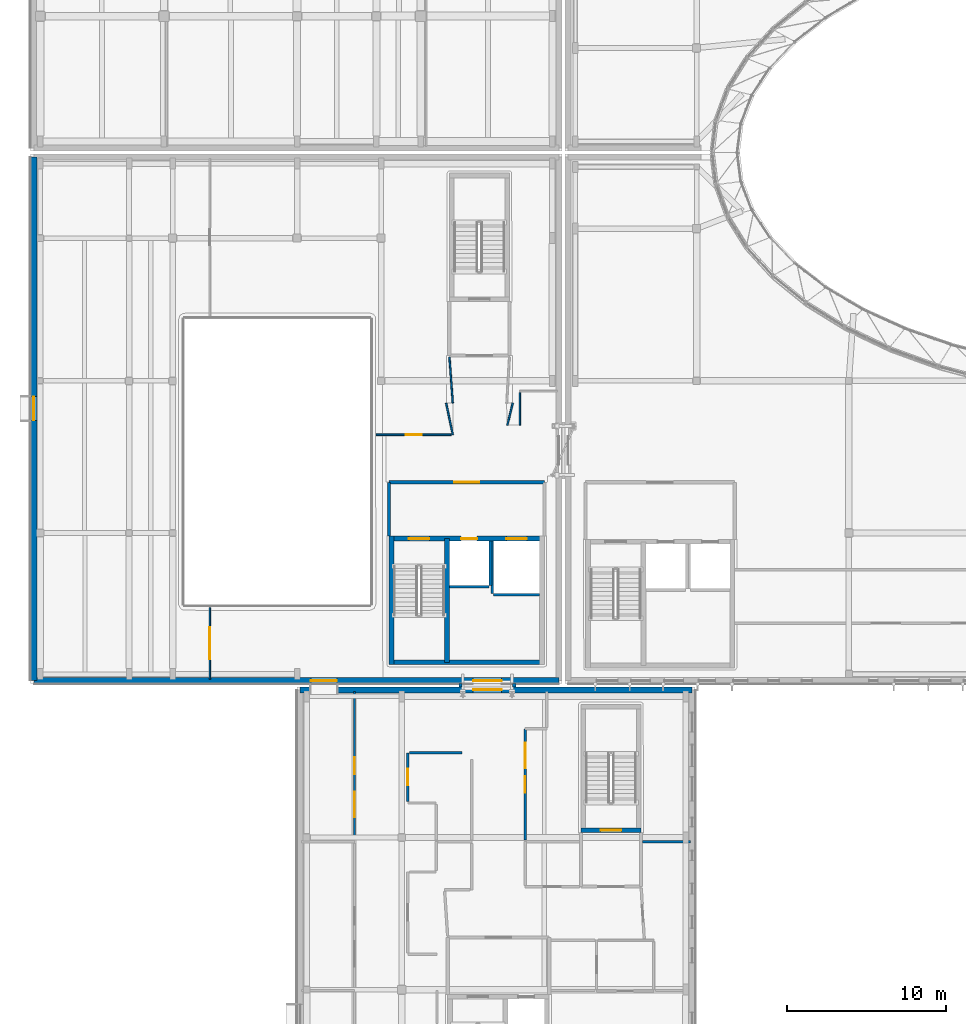
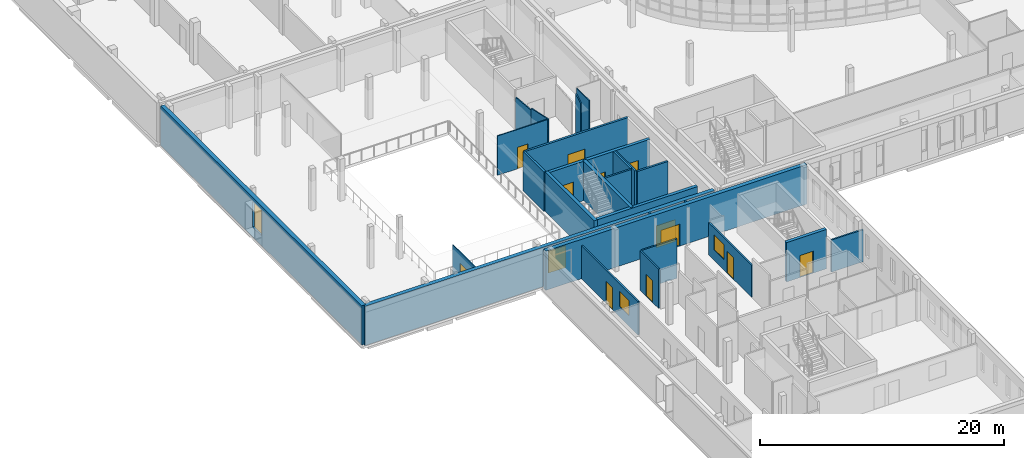
# One storey, part 43 of 84: 27 walls, 12 doors, 4 windows, 16 openings.
"""IFC4 building model written with IfcOpenShell, lengths in metres."""

from ifc_helpers import new_model, si_unit, direction, frame, frame_2d, origin, place, context, subcontext, project, spatial, rectangle, extrude, material, layer, layer_set, type_object, element, fill, save


model = new_model("IFC4")

# Units and contexts
model_context = context("Model", 3, precision=1e-05, world=origin(), true_north=direction((0.0, 1.0)))
body_context = subcontext(model_context, "Body", "Model", "MODEL_VIEW")
ifc_project = project(units=[si_unit("LENGTHUNIT", "METRE"), si_unit("AREAUNIT", "SQUARE_METRE"), si_unit("VOLUMEUNIT", "CUBIC_METRE"), si_unit("PLANEANGLEUNIT", "RADIAN"), si_unit("MASSUNIT", "GRAM", prefix="KILO")], contexts=[model_context])

# Site, building, storey
site_placement = place(None, origin())
site = spatial("IfcSite", under=ifc_project, at=site_placement, CompositionType="ELEMENT")
building_placement = place(site_placement, origin())
building = spatial("IfcBuilding", under=site, at=building_placement, Name="Mzevani Central Library", CompositionType="ELEMENT")
storey_placement = place(building_placement, frame((0.0, 0.0, 5.39990234375)))
storey = spatial("IfcBuildingStorey", under=building, at=storey_placement, Name="L01", CompositionType="ELEMENT", Elevation=5.39990234375)

# Walls
ifc_material_1 = material(Name="Concrete C35/45", Category="concrete")
ifc_layer_1 = layer(ifc_material_1, 0.199951171875, Name="Compartment Wall 200")
ifc_layer_set_1 = layer_set([ifc_layer_1], Name="Concrete C35/45")
wall_type_1 = type_object("IfcWallType", Name="Compartment Wall 200", PredefinedType="STANDARD", material=ifc_layer_set_1)
for number, where, z_axis, x_axis, name in (
    (1, (39.5, 42.300048828125, 0.0), (0.0, 0.0, 1.0), (0.0, 1.0, 0.0), "L01 Cultural-Auditorium Seismic Passage L01 Seismic Joint Enclosure Wall 1"),
    (2, (42.89990234375, 42.300048828125, 0.0), (0.0, 0.0, 1.0), (0.0, 1.0, 0.0), "L01 Cultural-Auditorium Seismic Passage L01 Seismic Joint Enclosure Wall 2"),
):
    element("IfcWall", number, at=place(storey_placement, frame(where, z_axis=z_axis, x_axis=x_axis)), inside=storey, type_object=wall_type_1, Name=name, PredefinedType="STANDARD", context=body_context, shape_type="SweptSolid", body=[
        extrude(rectangle(XDim=0.199951171875, YDim=0.199951171875, at=frame_2d((0.10009765625, 0.0))), origin(), (0.0, 0.0, 1.0), 3.940185546875),
    ])
wall_1_placement = place(storey_placement, frame((35.0, 51.800048828125, 0.0), z_axis=(0.0, 0.0, 1.0), x_axis=(0.0, 1.0, 0.0)))
element("IfcWall", 3, at=wall_1_placement, inside=storey, type_object=wall_type_1, Name="L01 Protected Stair Lobby C5A Enclosure Wall 1", PredefinedType="STANDARD", context=body_context, shape_type="SweptSolid", body=[
    extrude(rectangle(XDim=3.39990234375, YDim=0.199951171875, at=frame_2d((1.699951171875, 0.0))), origin(), (0.0, 0.0, 1.0), 3.940185546875),
])

# Wall, opening, door
wall_2_placement = place(storey_placement, frame((35.0, 55.199951171875, 0.0), z_axis=(0.0, 0.0, 1.0), x_axis=(1.0, 0.0, 0.0)))
wall_2 = element("IfcWall", 4, at=wall_2_placement, inside=storey, type_object=wall_type_1, Name="L01 Protected Stair Lobby C5A Enclosure Wall 2", PredefinedType="STANDARD", context=body_context, shape_type="SweptSolid", body=[
    extrude(rectangle(XDim=9.800048828125, YDim=0.199951171875, at=frame_2d((4.89990234375, 0.0))), origin(), (0.0, 0.0, 1.0), 3.940185546875),
])
opening_1_placement = place(wall_2_placement, frame((4.10009765625, 0.0, 0.0)))
opening_1 = element("IfcOpeningElement", 5, at=opening_1_placement, cuts=wall_2, Name="Opening FD-02", PredefinedType="OPENING", context=body_context, shape_type="SweptSolid", body=[
    extrude(rectangle(XDim=1.60009765625, YDim=2.199951171875, at=frame_2d((0.800048828125, 1.10009765625))), frame((0.0, 0.10986328125, 0.0), z_axis=(0.0, -1.0, 0.0), x_axis=(1.0, 0.0, 0.0)), (0.0, 0.0, 1.0), 0.219970703125),
])
ifc_material_2 = material(Name="Fire-rated steel door assembly", Category="steel")
door_type_1 = type_object("IfcDoorType", Name="Fire Lobby Double Door 1600x2200", OperationType="NOTDEFINED", PredefinedType="DOOR", material=ifc_material_2)
door_1_placement = place(opening_1_placement, origin())
door_1 = element("IfcDoor", 6, at=door_1_placement, inside=storey, type_object=door_type_1, Name="L01 Protected Stair Lobby C5A Smoke-Control Door", OperationType="DOUBLE_DOOR_SINGLE_SWING", OverallHeight=2.199951171875, OverallWidth=1.60009765625, PredefinedType="DOOR", context=body_context, shape_type="SweptSolid", body=[
    extrude(rectangle(XDim=1.60009765625, YDim=2.199951171875, at=frame_2d((0.800048828125, 1.10009765625))), frame((0.0, 0.02490234375, 0.0), z_axis=(0.0, -1.0, 0.0), x_axis=(1.0, 0.0, 0.0)), (0.0, 0.0, 1.0), 0.050048828125),
])
fill(opening_1, door_1)

ifc_material_3 = material(Name="Concrete C40/50", Category="concrete")
ifc_layer_2 = layer(ifc_material_3, 0.300048828125, Name="Core Shear Wall 300")
ifc_layer_set_2 = layer_set([ifc_layer_2], Name="Concrete C40/50")
wall_type_2 = type_object("IfcWallType", Name="Core Shear Wall 300", PredefinedType="SHEAR", material=ifc_layer_set_2)
wall_3_placement = place(storey_placement, frame((50.89990234375, 33.25, 0.0), z_axis=(0.0, 0.0, 1.0), x_axis=(-1.0, 0.0, 0.0)))
wall_3 = element("IfcWall", 7, at=wall_3_placement, inside=storey, type_object=wall_type_2, Name="L01 Core C4B Square South Escape Stair Shear Wall (-y)", PredefinedType="SHEAR", context=body_context, shape_type="SweptSolid", body=[
    extrude(rectangle(XDim=3.7998046875, YDim=0.300048828125, at=frame_2d((1.89990234375, 0.0))), origin(), (0.0, 0.0, 1.0), 3.940185546875),
])
opening_2_placement = place(wall_3_placement, frame((1.25, 0.0, 0.0)))
opening_2 = element("IfcOpeningElement", 8, at=opening_2_placement, cuts=wall_3, Name="Opening FD-01", PredefinedType="OPENING", context=body_context, shape_type="SweptSolid", body=[
    extrude(rectangle(XDim=1.300048828125, YDim=2.199951171875, at=frame_2d((0.64990234375, 1.10009765625))), frame((0.0, 0.16015625, 0.0), z_axis=(0.0, -1.0, 0.0), x_axis=(1.0, 0.0, 0.0)), (0.0, 0.0, 1.0), 0.320068359375),
])
door_type_2 = type_object("IfcDoorType", Name="Fire Stair Door 1300x2200", OperationType="NOTDEFINED", PredefinedType="DOOR", material=ifc_material_2)
door_2_placement = place(opening_2_placement, origin())
door_2 = element("IfcDoor", 9, at=door_2_placement, inside=storey, type_object=door_type_2, Name="L01 ST-08 Protected Exit Stair Door", OperationType="SINGLE_SWING_LEFT", OverallHeight=2.199951171875, OverallWidth=1.300048828125, PredefinedType="DOOR", context=body_context, shape_type="SweptSolid", body=[
    extrude(rectangle(XDim=1.300048828125, YDim=2.199951171875, at=frame_2d((0.64990234375, 1.10009765625))), frame((0.0, 0.02490234375, 0.0), z_axis=(0.0, -1.0, 0.0), x_axis=(1.0, 0.0, 0.0)), (0.0, 0.0, 1.0), 0.050048828125),
])
fill(opening_2, door_2)

# Walls
wall_4_placement = place(storey_placement, frame((44.800048828125, 43.85009765625, 0.0), z_axis=(0.0, 0.0, 1.0), x_axis=(-1.0, 0.0, 0.0)))
element("IfcWall", 10, at=wall_4_placement, inside=storey, type_object=wall_type_2, Name="L01 Core C5A Auditorium & Goods Core Shear Wall (-y)", PredefinedType="SHEAR", context=body_context, shape_type="SweptSolid", body=[
    extrude(rectangle(XDim=9.800048828125, YDim=0.300048828125, at=frame_2d((4.89990234375, 0.0))), origin(), (0.0, 0.0, 1.0), 3.940185546875),
])
wall_5_placement = place(storey_placement, frame((35.14990234375, 43.699951171875, 0.0), z_axis=(0.0, 0.0, 1.0), x_axis=(0.0, 1.0, 0.0)))
element("IfcWall", 11, at=wall_5_placement, inside=storey, type_object=wall_type_2, Name="L01 Core C5A Auditorium & Goods Core Shear Wall (-x)", PredefinedType="SHEAR", context=body_context, shape_type="SweptSolid", body=[
    extrude(rectangle(XDim=8.10009765625, YDim=0.300048828125, at=frame_2d((4.050048828125, 0.0))), origin(), (0.0, 0.0, 1.0), 3.940185546875),
])

# Wall, openings, doors
wall_6_placement = place(storey_placement, frame((35.0, 51.64990234375, 0.0), z_axis=(0.0, 0.0, 1.0), x_axis=(1.0, 0.0, 0.0)))
wall_6 = element("IfcWall", 12, at=wall_6_placement, inside=storey, type_object=wall_type_2, Name="L01 Core C5A Auditorium & Goods Core Shear Wall (+y)", PredefinedType="SHEAR", context=body_context, shape_type="SweptSolid", body=[
    extrude(rectangle(XDim=9.800048828125, YDim=0.300048828125, at=frame_2d((4.89990234375, 0.0))), origin(), (0.0, 0.0, 1.0), 3.940185546875),
])
opening_3_placement = place(wall_6_placement, frame((1.25, 0.0, 0.0)))
opening_3 = element("IfcOpeningElement", 13, at=opening_3_placement, cuts=wall_6, Name="Opening FD-01", PredefinedType="OPENING", context=body_context, shape_type="SweptSolid", body=[
    extrude(rectangle(XDim=1.300048828125, YDim=2.199951171875, at=frame_2d((0.64990234375, 1.10009765625))), frame((0.0, 0.16015625, 0.0), z_axis=(0.0, -1.0, 0.0), x_axis=(1.0, 0.0, 0.0)), (0.0, 0.0, 1.0), 0.320068359375),
])
opening_4_placement = place(wall_6_placement, frame((4.550048828125, 0.0, 0.0)))
opening_4 = element("IfcOpeningElement", 14, at=opening_4_placement, cuts=wall_6, Name="Opening LD-01", PredefinedType="OPENING", context=body_context, shape_type="SweptSolid", body=[
    extrude(rectangle(XDim=1.0, YDim=2.14990234375, at=frame_2d((0.5, 1.074951171875))), frame((0.0, 0.16015625, 0.0), z_axis=(0.0, -1.0, 0.0), x_axis=(1.0, 0.0, 0.0)), (0.0, 0.0, 1.0), 0.320068359375),
])
opening_5_placement = place(wall_6_placement, frame((7.39990234375, 0.0, 0.0)))
opening_5 = element("IfcOpeningElement", 15, at=opening_5_placement, cuts=wall_6, Name="Opening LD-03", PredefinedType="OPENING", context=body_context, shape_type="SweptSolid", body=[
    extrude(rectangle(XDim=1.300048828125, YDim=2.199951171875, at=frame_2d((0.64990234375, 1.10009765625))), frame((0.0, 0.16015625, 0.0), z_axis=(0.0, -1.0, 0.0), x_axis=(1.0, 0.0, 0.0)), (0.0, 0.0, 1.0), 0.320068359375),
])
door_3_placement = place(opening_3_placement, origin())
door_3 = element("IfcDoor", 16, at=door_3_placement, inside=storey, type_object=door_type_2, Name="L01 ST-09 Protected Exit Stair Door", OperationType="SINGLE_SWING_RIGHT", OverallHeight=2.199951171875, OverallWidth=1.300048828125, PredefinedType="DOOR", context=body_context, shape_type="SweptSolid", body=[
    extrude(rectangle(XDim=1.300048828125, YDim=2.199951171875, at=frame_2d((0.64990234375, 1.10009765625))), frame((0.0, 0.02490234375, 0.0), z_axis=(0.0, -1.0, 0.0), x_axis=(1.0, 0.0, 0.0)), (0.0, 0.0, 1.0), 0.050048828125),
])
fill(opening_3, door_3)
ifc_material_4 = material(Name="Brushed stainless steel door", Category="steel")
door_type_3 = type_object("IfcDoorType", Name="Goods Lift Landing Door 1300x2200", OperationType="NOTDEFINED", PredefinedType="DOOR", material=ifc_material_4)
door_4_placement = place(opening_5_placement, origin())
door_4 = element("IfcDoor", 17, at=door_4_placement, inside=storey, type_object=door_type_3, Name="L01 Lift LF-G1 Sliding Landing Door", OperationType="SLIDING_TO_LEFT", OverallHeight=2.199951171875, OverallWidth=1.300048828125, PredefinedType="DOOR", context=body_context, shape_type="SweptSolid", body=[
    extrude(rectangle(XDim=1.300048828125, YDim=2.199951171875, at=frame_2d((0.64990234375, 1.10009765625))), frame((0.0, 0.02490234375, 0.0), z_axis=(0.0, -1.0, 0.0), x_axis=(1.0, 0.0, 0.0)), (0.0, 0.0, 1.0), 0.050048828125),
])
fill(opening_5, door_4)
door_type_4 = type_object("IfcDoorType", Name="Passenger Lift Landing Door 1000x2150", OperationType="NOTDEFINED", PredefinedType="DOOR", material=ifc_material_4)
door_5_placement = place(opening_4_placement, origin())
door_5 = element("IfcDoor", 18, at=door_5_placement, inside=storey, type_object=door_type_4, Name="L01 Lift LF-P4 Sliding Landing Door", OperationType="SLIDING_TO_LEFT", OverallHeight=2.14990234375, OverallWidth=1.0, PredefinedType="DOOR", context=body_context, shape_type="SweptSolid", body=[
    extrude(rectangle(XDim=1.0, YDim=2.14990234375, at=frame_2d((0.5, 1.074951171875))), frame((0.0, 0.02490234375, 0.0), z_axis=(0.0, -1.0, 0.0), x_axis=(1.0, 0.0, 0.0)), (0.0, 0.0, 1.0), 0.050048828125),
])
fill(opening_4, door_5)

# Wall
wall_7_placement = place(storey_placement, frame((38.64990234375, 43.85009765625, 0.0), z_axis=(0.0, 0.0, 1.0), x_axis=(0.0, 1.0, 0.0)))
element("IfcWall", 19, at=wall_7_placement, inside=storey, type_object=wall_type_2, Name="L01 Core C5A Auditorium & Goods Core Hoistway Shear Wall", PredefinedType="SHEAR", context=body_context, shape_type="SweptSolid", body=[
    extrude(rectangle(XDim=7.7998046875, YDim=0.300048828125, at=frame_2d((3.89990234375, 0.0))), origin(), (0.0, 0.0, 1.0), 3.940185546875),
])

# Wall, opening, door
ifc_material_5 = material(Name="Precast concrete C40/50", Category="concrete")
ifc_layer_3 = layer(ifc_material_5, 0.3798828125, Name="Exterior Thermal Concrete Wall 380")
ifc_layer_set_3 = layer_set([ifc_layer_3], Name="Precast concrete C40/50")
wall_type_3 = type_object("IfcWallType", Name="Exterior Thermal Concrete Wall 380", PredefinedType="STANDARD", material=ifc_layer_set_3)
wall_8_placement = place(storey_placement, frame((29.389892578125, 42.110107421875, 0.0), z_axis=(0.0, 0.0, 1.0), x_axis=(1.0, 0.0, 0.0)))
wall_8 = element("IfcWall", 20, at=wall_8_placement, inside=storey, type_object=wall_type_3, Name="L01 V4 Exterior Thermal Wall (78)", PredefinedType="STANDARD", context=body_context, shape_type="SweptSolid", body=[
    extrude(rectangle(XDim=24.72021484375, YDim=0.3798828125, at=frame_2d((12.360107421875, 0.0))), origin(), (0.0, 0.0, 1.0), 3.940185546875),
])
opening_6_placement = place(wall_8_placement, frame((10.909912109375, 0.0, 0.0)))
opening_6 = element("IfcOpeningElement", 21, at=opening_6_placement, cuts=wall_8, Name="Opening FD-06", PredefinedType="OPENING", context=body_context, shape_type="SweptSolid", body=[
    extrude(rectangle(XDim=1.800048828125, YDim=2.199951171875, at=frame_2d((0.89990234375, 1.10009765625))), frame((0.0, 0.199951171875, 0.0), z_axis=(0.0, -1.0, 0.0), x_axis=(1.0, 0.0, 0.0)), (0.0, 0.0, 1.0), 0.39990234375),
])
door_type_5 = type_object("IfcDoorType", Name="Fire Corridor Double Door 1800x2200", OperationType="NOTDEFINED", PredefinedType="DOOR", material=ifc_material_2)
door_6_placement = place(opening_6_placement, origin())
door_6 = element("IfcDoor", 22, at=door_6_placement, inside=storey, type_object=door_type_5, Name="L01 Cultural-Auditorium Seismic Passage L01 Fire Portal Door (V4)", OperationType="DOUBLE_DOOR_SINGLE_SWING", OverallHeight=2.199951171875, OverallWidth=1.800048828125, PredefinedType="DOOR", context=body_context, shape_type="SweptSolid", body=[
    extrude(rectangle(XDim=1.800048828125, YDim=2.199951171875, at=frame_2d((0.89990234375, 1.10009765625))), frame((0.0, 0.02490234375, 0.0), z_axis=(0.0, -1.0, 0.0), x_axis=(1.0, 0.0, 0.0)), (0.0, 0.0, 1.0), 0.050048828125),
])
fill(opening_6, door_6)

# Wall, opening, window
wall_9_placement = place(storey_placement, frame((12.590087890625, 42.68994140625, 0.0), z_axis=(0.0, 0.0, 1.0), x_axis=(0.0, 1.0, 0.0)))
wall_9 = element("IfcWall", 23, at=wall_9_placement, inside=storey, type_object=wall_type_3, Name="L01 V5 Exterior Thermal Wall (92)", PredefinedType="STANDARD", context=body_context, shape_type="SweptSolid", body=[
    extrude(rectangle(XDim=33.02001953125, YDim=0.3798828125, at=frame_2d((16.510009765625, 0.0))), origin(), (0.0, 0.0, 1.0), 3.940185546875),
])
opening_7_placement = place(wall_9_placement, frame((16.42041015625, 0.0, 0.9599609375)))
opening_7 = element("IfcOpeningElement", 24, at=opening_7_placement, cuts=wall_9, Name="Opening W-12", PredefinedType="OPENING", context=body_context, shape_type="SweptSolid", body=[
    extrude(rectangle(XDim=1.5, YDim=2.60009765625, at=frame_2d((0.75, 1.300048828125))), frame((0.0, 0.199951171875, 0.0), z_axis=(0.0, -1.0, 0.0), x_axis=(1.0, 0.0, 0.0)), (0.0, 0.0, 1.0), 0.39990234375),
])
ifc_material_6 = material(Name="Low-E triple glazing glass", Category="glass")
window_type_1 = type_object("IfcWindowType", Name="Deep Reveal Window 1500x2600", PartitioningType="SINGLE_PANEL", PredefinedType="WINDOW", material=ifc_material_6)
window_1_placement = place(opening_7_placement, origin())
window_1 = element("IfcWindow", 25, at=window_1_placement, inside=storey, type_object=window_type_1, Name="L01 V5 Deep-Reveal Window W-12 (188)", OverallHeight=2.60009765625, OverallWidth=1.5, PartitioningType="SINGLE_PANEL", PredefinedType="WINDOW", context=body_context, shape_type="SweptSolid", body=[
    extrude(rectangle(XDim=1.5, YDim=2.60009765625, at=frame_2d((0.75, 1.300048828125))), frame((0.0, 0.030029296875, 0.0), z_axis=(0.0, -1.0, 0.0), x_axis=(1.0, 0.0, 0.0)), (0.0, 0.0, 1.0), 0.06005859375),
])
fill(opening_7, window_1)

# Wall, openings, window, door
wall_10_placement = place(storey_placement, frame((45.7099609375, 42.68994140625, 0.0), z_axis=(0.0, 0.0, 1.0), x_axis=(-1.0, 0.0, 0.0)))
wall_10 = element("IfcWall", 26, at=wall_10_placement, inside=storey, type_object=wall_type_3, Name="L01 V5 Exterior Thermal Wall (95)", PredefinedType="STANDARD", context=body_context, shape_type="SweptSolid", body=[
    extrude(rectangle(XDim=33.119873046875, YDim=0.3798828125, at=frame_2d((16.56005859375, 0.0))), origin(), (0.0, 0.0, 1.0), 3.940185546875),
])
opening_8_placement = place(wall_10_placement, frame((3.610107421875, 0.0, 0.0)))
opening_8 = element("IfcOpeningElement", 27, at=opening_8_placement, cuts=wall_10, Name="Opening FD-06", PredefinedType="OPENING", context=body_context, shape_type="SweptSolid", body=[
    extrude(rectangle(XDim=1.800048828125, YDim=2.199951171875, at=frame_2d((0.89990234375, 1.10009765625))), frame((0.0, 0.199951171875, 0.0), z_axis=(0.0, -1.0, 0.0), x_axis=(1.0, 0.0, 0.0)), (0.0, 0.0, 1.0), 0.39990234375),
])
opening_9_placement = place(wall_10_placement, frame((13.997314453125, 0.0, 1.050048828125)))
opening_9 = element("IfcOpeningElement", 28, at=opening_9_placement, cuts=wall_10, Name="Opening W-13", PredefinedType="OPENING", context=body_context, shape_type="SweptSolid", body=[
    extrude(rectangle(XDim=1.64990234375, YDim=2.199951171875, at=frame_2d((0.824951171875, 1.10009765625))), frame((0.0, 0.199951171875, 0.0), z_axis=(0.0, -1.0, 0.0), x_axis=(1.0, 0.0, 0.0)), (0.0, 0.0, 1.0), 0.39990234375),
])
window_type_2 = type_object("IfcWindowType", Name="Deep Reveal Window 1650x2200", PartitioningType="SINGLE_PANEL", PredefinedType="WINDOW", material=ifc_material_6)
window_2_placement = place(opening_9_placement, origin())
window_2 = element("IfcWindow", 29, at=window_2_placement, inside=storey, type_object=window_type_2, Name="L01 V5 Deep-Reveal Window W-13 (189)", OverallHeight=2.199951171875, OverallWidth=1.64990234375, PartitioningType="SINGLE_PANEL", PredefinedType="WINDOW", context=body_context, shape_type="SweptSolid", body=[
    extrude(rectangle(XDim=1.64990234375, YDim=2.199951171875, at=frame_2d((0.824951171875, 1.10009765625))), frame((0.0, 0.030029296875, 0.0), z_axis=(0.0, -1.0, 0.0), x_axis=(1.0, 0.0, 0.0)), (0.0, 0.0, 1.0), 0.06005859375),
])
fill(opening_9, window_2)
door_7_placement = place(opening_8_placement, origin())
door_7 = element("IfcDoor", 30, at=door_7_placement, inside=storey, type_object=door_type_5, Name="L01 Cultural-Auditorium Seismic Passage L01 Fire Portal Door (V5)", OperationType="DOUBLE_DOOR_SINGLE_SWING", OverallHeight=2.199951171875, OverallWidth=1.800048828125, PredefinedType="DOOR", context=body_context, shape_type="SweptSolid", body=[
    extrude(rectangle(XDim=1.800048828125, YDim=2.199951171875, at=frame_2d((0.89990234375, 1.10009765625))), frame((0.0, 0.02490234375, 0.0), z_axis=(0.0, -1.0, 0.0), x_axis=(1.0, 0.0, 0.0)), (0.0, 0.0, 1.0), 0.050048828125),
])
fill(opening_8, door_7)

# Wall, opening, door
ifc_material_7 = material(Name="Fire-rated gypsum board", Category="gypsum")
ifc_layer_4 = layer(ifc_material_7, 0.10009765625, Name="Partition Gypsum 100")
ifc_layer_set_4 = layer_set([ifc_layer_4], Name="Fire-rated gypsum board")
wall_type_4 = type_object("IfcWallType", Name="Partition Gypsum 100", PredefinedType="PARTITIONING", material=ifc_layer_set_4)
wall_11_placement = place(storey_placement, frame((23.693359375, 47.300048828125, 0.0), z_axis=(0.0, 0.0, 1.0), x_axis=(0.0, -1.0, 0.0)))
wall_11 = element("IfcWall", 31, at=wall_11_placement, inside=storey, type_object=wall_type_4, Name="L01 V5 Partition IW-01 (332)", PredefinedType="PARTITIONING", context=body_context, shape_type="SweptSolid", body=[
    extrude(rectangle(XDim=4.510009765625, YDim=0.10009765625, at=frame_2d((2.2548828125, 0.0))), origin(), (0.0, 0.0, 1.0), 3.320068359375),
])
opening_10_placement = place(wall_11_placement, frame((1.2548828125, 0.0, 0.0)))
opening_10 = element("IfcOpeningElement", 32, at=opening_10_placement, cuts=wall_11, Name="Opening FD-07", PredefinedType="OPENING", context=body_context, shape_type="SweptSolid", body=[
    extrude(rectangle(XDim=2.0, YDim=2.25, at=frame_2d((1.0, 1.125))), frame((0.0, 0.06005859375, 0.0), z_axis=(0.0, -1.0, 0.0), x_axis=(1.0, 0.0, 0.0)), (0.0, 0.0, 1.0), 0.1201171875),
])
door_type_6 = type_object("IfcDoorType", Name="Fire Auditorium Exit Door 2000x2250", OperationType="NOTDEFINED", PredefinedType="DOOR", material=ifc_material_2)
door_8_placement = place(opening_10_placement, origin())
door_8 = element("IfcDoor", 33, at=door_8_placement, inside=storey, type_object=door_type_6, Name="L01 Tiered Civic Lecture Hall Door", OperationType="DOUBLE_DOOR_SINGLE_SWING", OverallHeight=2.25, OverallWidth=2.0, PredefinedType="DOOR", context=body_context, shape_type="SweptSolid", body=[
    extrude(rectangle(XDim=2.0, YDim=2.25, at=frame_2d((1.0, 1.125))), frame((0.0, 0.02490234375, 0.0), z_axis=(0.0, -1.0, 0.0), x_axis=(1.0, 0.0, 0.0)), (0.0, 0.0, 1.0), 0.050048828125),
])
fill(opening_10, door_8)

# Walls
wall_12_placement = place(storey_placement, frame((43.25, 60.85009765625, 0.0), z_axis=(0.0, 0.0, 1.0), x_axis=(0.0, -1.0, 0.0)))
element("IfcWall", 34, at=wall_12_placement, inside=storey, type_object=wall_type_4, Name="L01 V5 Partition IW-01 (334)", PredefinedType="PARTITIONING", context=body_context, shape_type="SweptSolid", body=[
    extrude(rectangle(XDim=2.050048828125, YDim=0.10009765625, at=frame_2d((1.02490234375, 0.0))), origin(), (0.0, 0.0, 1.0), 3.940185546875),
])
wall_13_placement = place(storey_placement, frame((42.458984375, 58.800048828125, 0.0), z_axis=(0.0, 0.0, 1.0), x_axis=(0.236710429431, 0.971580245064, 0.0)))
element("IfcWall", 35, at=wall_13_placement, inside=storey, type_object=wall_type_4, Name="L01 V5 Partition IW-01 (335)", PredefinedType="PARTITIONING", context=body_context, shape_type="SweptSolid", body=[
    extrude(rectangle(XDim=1.44091796875, YDim=0.10009765625, at=frame_2d((0.720458984375, 0.0))), origin(), (0.0, 0.0, 1.0), 3.940185546875),
])
wall_14_placement = place(storey_placement, frame((38.807373046875, 63.100341796875, 0.0), z_axis=(0.0, 0.0, 1.0), x_axis=(0.073120239762, -0.997323132459, 0.0)))
element("IfcWall", 36, at=wall_14_placement, inside=storey, type_object=wall_type_4, Name="L01 V5 Partition IW-01 (337)", PredefinedType="PARTITIONING", context=body_context, shape_type="SweptSolid", body=[
    extrude(rectangle(XDim=2.908203125, YDim=0.10009765625, at=frame_2d((1.4541015625, 0.0))), origin(), (0.0, 0.0, 1.0), 3.22021484375),
])
wall_15_placement = place(storey_placement, frame((38.60009765625, 60.199951171875, 0.0), z_axis=(0.0, 0.0, 1.0), x_axis=(0.205480619879, -0.978661184912, 0.0)))
element("IfcWall", 37, at=wall_15_placement, inside=storey, type_object=wall_type_4, Name="L01 V5 Partition IW-01 (338)", PredefinedType="PARTITIONING", context=body_context, shape_type="SweptSolid", body=[
    extrude(rectangle(XDim=2.043701171875, YDim=0.10009765625, at=frame_2d((1.02197265625, 0.0))), origin(), (0.0, 0.0, 1.0), 3.940185546875),
])

# Wall, opening, door
wall_16_placement = place(storey_placement, frame((38.919921875, 58.199951171875, 0.0), z_axis=(0.0, 0.0, 1.0), x_axis=(-1.0, 0.0, 0.0)))
wall_16 = element("IfcWall", 38, at=wall_16_placement, inside=storey, type_object=wall_type_4, Name="L01 V5 Partition IW-01 (339)", PredefinedType="PARTITIONING", context=body_context, shape_type="SweptSolid", body=[
    extrude(rectangle(XDim=4.739990234375, YDim=0.10009765625, at=frame_2d((2.3701171875, 0.0))), origin(), (0.0, 0.0, 1.0), 3.940185546875),
])
opening_11_placement = place(wall_16_placement, frame((1.8701171875, 0.0, 0.0)))
opening_11 = element("IfcOpeningElement", 39, at=opening_11_placement, cuts=wall_16, Name="Opening ID-04", PredefinedType="OPENING", context=body_context, shape_type="SweptSolid", body=[
    extrude(rectangle(XDim=1.0, YDim=2.14990234375, at=frame_2d((0.5, 1.074951171875))), frame((0.0, 0.06005859375, 0.0), z_axis=(0.0, -1.0, 0.0), x_axis=(1.0, 0.0, 0.0)), (0.0, 0.0, 1.0), 0.1201171875),
])
ifc_material_8 = material(Name="Fire-rated solid oak leaf")
door_type_7 = type_object("IfcDoorType", Name="Staff Office Door 1000x2150", OperationType="NOTDEFINED", PredefinedType="DOOR", material=ifc_material_8)
door_9_placement = place(opening_11_placement, origin())
door_9 = element("IfcDoor", 40, at=door_9_placement, inside=storey, type_object=door_type_7, Name="L01 Visiting Lecturers' Preparation Office Door", OperationType="SINGLE_SWING_RIGHT", OverallHeight=2.14990234375, OverallWidth=1.0, PredefinedType="DOOR", context=body_context, shape_type="SweptSolid", body=[
    extrude(rectangle(XDim=1.0, YDim=2.14990234375, at=frame_2d((0.5, 1.074951171875))), frame((0.0, 0.02490234375, 0.0), z_axis=(0.0, -1.0, 0.0), x_axis=(1.0, 0.0, 0.0)), (0.0, 0.0, 1.0), 0.050048828125),
])
fill(opening_11, door_9)

# Wall
ifc_layer_5 = layer(ifc_material_7, 0.14990234375, Name="Partition Study 150")
ifc_layer_set_5 = layer_set([ifc_layer_5], Name="Fire-rated gypsum board")
wall_type_5 = type_object("IfcWallType", Name="Partition Study 150", PredefinedType="PARTITIONING", material=ifc_layer_set_5)
wall_17_placement = place(storey_placement, frame((51.0, 32.534912109375, 0.0), z_axis=(0.0, 0.0, 1.0), x_axis=(1.0, 0.0, 0.0)))
element("IfcWall", 41, at=wall_17_placement, inside=storey, type_object=wall_type_5, Name="L01 V4 Partition IW-03 (307)", PredefinedType="PARTITIONING", context=body_context, shape_type="SweptSolid", body=[
    extrude(rectangle(XDim=3.010009765625, YDim=0.14990234375, at=frame_2d((1.5048828125, 0.0))), origin(), (0.0, 0.0, 1.0), 3.22021484375),
])

# Wall, openings, window, door
wall_18_placement = place(storey_placement, frame((43.580078125, 32.635009765625, 0.0), z_axis=(0.0, 0.0, 1.0), x_axis=(0.0, 1.0, 0.0)))
wall_18 = element("IfcWall", 42, at=wall_18_placement, inside=storey, type_object=wall_type_5, Name="L01 V4 Partition IW-03 (322)", PredefinedType="PARTITIONING", context=body_context, shape_type="SweptSolid", body=[
    extrude(rectangle(XDim=7.014892578125, YDim=0.14990234375, at=frame_2d((3.50732421875, 0.0))), origin(), (0.0, 0.0, 1.0), 3.22021484375),
])
opening_12_placement = place(wall_18_placement, frame((2.982421875, 0.0, 0.0)))
opening_12 = element("IfcOpeningElement", 43, at=opening_12_placement, cuts=wall_18, Name="Opening ID-07", PredefinedType="OPENING", context=body_context, shape_type="SweptSolid", body=[
    extrude(rectangle(XDim=1.050048828125, YDim=2.199951171875, at=frame_2d((0.52490234375, 1.10009765625))), frame((0.0, 0.0849609375, 0.0), z_axis=(0.0, -1.0, 0.0), x_axis=(1.0, 0.0, 0.0)), (0.0, 0.0, 1.0), 0.169921875),
])
opening_13_placement = place(wall_18_placement, frame((4.531494140625, 0.0, 1.050048828125)))
opening_13 = element("IfcOpeningElement", 44, at=opening_13_placement, cuts=wall_18, Name="Opening IW-W01", PredefinedType="OPENING", context=body_context, shape_type="SweptSolid", body=[
    extrude(rectangle(XDim=1.60009765625, YDim=1.5, at=frame_2d((0.800048828125, 0.75))), frame((0.0, 0.0849609375, 0.0), z_axis=(0.0, -1.0, 0.0), x_axis=(1.0, 0.0, 0.0)), (0.0, 0.0, 1.0), 0.169921875),
])
window_type_3 = type_object("IfcWindowType", Name="Interior Borrowed Light 1600x1500", PartitioningType="SINGLE_PANEL", PredefinedType="WINDOW", material=ifc_material_6)
window_3_placement = place(opening_13_placement, origin())
window_3 = element("IfcWindow", 45, at=window_3_placement, inside=storey, type_object=window_type_3, Name="L01 Digital Fabrication and Maker Studio 6 Acoustic Borrowed Light", OverallHeight=1.5, OverallWidth=1.60009765625, PartitioningType="SINGLE_PANEL", PredefinedType="WINDOW", context=body_context, shape_type="SweptSolid", body=[
    extrude(rectangle(XDim=1.60009765625, YDim=1.5, at=frame_2d((0.800048828125, 0.75))), frame((0.0, 0.030029296875, 0.0), z_axis=(0.0, -1.0, 0.0), x_axis=(1.0, 0.0, 0.0)), (0.0, 0.0, 1.0), 0.06005859375),
])
fill(opening_13, window_3)
door_type_8 = type_object("IfcDoorType", Name="Maker Studio Door 1050x2200", OperationType="NOTDEFINED", PredefinedType="DOOR", material=ifc_material_8)
door_10_placement = place(opening_12_placement, origin())
door_10 = element("IfcDoor", 46, at=door_10_placement, inside=storey, type_object=door_type_8, Name="L01 Digital Fabrication and Maker Studio 6 Door", OperationType="SINGLE_SWING_RIGHT", OverallHeight=2.199951171875, OverallWidth=1.050048828125, PredefinedType="DOOR", context=body_context, shape_type="SweptSolid", body=[
    extrude(rectangle(XDim=1.050048828125, YDim=2.199951171875, at=frame_2d((0.52490234375, 1.10009765625))), frame((0.0, 0.02490234375, 0.0), z_axis=(0.0, -1.0, 0.0), x_axis=(1.0, 0.0, 0.0)), (0.0, 0.0, 1.0), 0.050048828125),
])
fill(opening_12, door_10)

wall_19_placement = place(storey_placement, frame((32.820068359375, 42.010009765625, 0.0), z_axis=(0.0, 0.0, 1.0), x_axis=(0.0, -1.0, 0.0)))
wall_19 = element("IfcWall", 47, at=wall_19_placement, inside=storey, type_object=wall_type_5, Name="L01 V4 Partition IW-03 (325)", PredefinedType="PARTITIONING", context=body_context, shape_type="SweptSolid", body=[
    extrude(rectangle(XDim=9.375, YDim=0.14990234375, at=frame_2d((4.6875, 0.0))), origin(), (0.0, 0.0, 1.0), 3.320068359375),
])
opening_14_placement = place(wall_19_placement, frame((4.16259765625, 0.0, 0.0)))
opening_14 = element("IfcOpeningElement", 48, at=opening_14_placement, cuts=wall_19, Name="Opening ID-07", PredefinedType="OPENING", context=body_context, shape_type="SweptSolid", body=[
    extrude(rectangle(XDim=1.050048828125, YDim=2.199951171875, at=frame_2d((0.52490234375, 1.10009765625))), frame((0.0, 0.0849609375, 0.0), z_axis=(0.0, -1.0, 0.0), x_axis=(1.0, 0.0, 0.0)), (0.0, 0.0, 1.0), 0.169921875),
])
opening_15_placement = place(wall_19_placement, frame((6.324951171875, 0.0, 1.050048828125)))
opening_15 = element("IfcOpeningElement", 49, at=opening_15_placement, cuts=wall_19, Name="Opening IW-W01", PredefinedType="OPENING", context=body_context, shape_type="SweptSolid", body=[
    extrude(rectangle(XDim=1.60009765625, YDim=1.5, at=frame_2d((0.800048828125, 0.75))), frame((0.0, 0.0849609375, 0.0), z_axis=(0.0, -1.0, 0.0), x_axis=(1.0, 0.0, 0.0)), (0.0, 0.0, 1.0), 0.169921875),
])
window_4_placement = place(opening_15_placement, origin())
window_4 = element("IfcWindow", 50, at=window_4_placement, inside=storey, type_object=window_type_3, Name="L01 Audio Recording and Podcast Booths 7 Acoustic Borrowed Light", OverallHeight=1.5, OverallWidth=1.60009765625, PartitioningType="SINGLE_PANEL", PredefinedType="WINDOW", context=body_context, shape_type="SweptSolid", body=[
    extrude(rectangle(XDim=1.60009765625, YDim=1.5, at=frame_2d((0.800048828125, 0.75))), frame((0.0, 0.030029296875, 0.0), z_axis=(0.0, -1.0, 0.0), x_axis=(1.0, 0.0, 0.0)), (0.0, 0.0, 1.0), 0.06005859375),
])
fill(opening_15, window_4)
door_11_placement = place(opening_14_placement, origin())
door_11 = element("IfcDoor", 51, at=door_11_placement, inside=storey, type_object=door_type_8, Name="L01 Audio Recording and Podcast Booths 7 Door", OperationType="SINGLE_SWING_LEFT", OverallHeight=2.199951171875, OverallWidth=1.050048828125, PredefinedType="DOOR", context=body_context, shape_type="SweptSolid", body=[
    extrude(rectangle(XDim=1.050048828125, YDim=2.199951171875, at=frame_2d((0.52490234375, 1.10009765625))), frame((0.0, 0.02490234375, 0.0), z_axis=(0.0, -1.0, 0.0), x_axis=(1.0, 0.0, 0.0)), (0.0, 0.0, 1.0), 0.050048828125),
])
fill(opening_14, door_11)

# Wall, opening, door
wall_20_placement = place(storey_placement, frame((36.179931640625, 35.074951171875, 0.0), z_axis=(0.0, 0.0, 1.0), x_axis=(0.0, 1.0, 0.0)))
wall_20 = element("IfcWall", 52, at=wall_20_placement, inside=storey, type_object=wall_type_5, Name="L01 V4 Partition IW-03 (327)", PredefinedType="PARTITIONING", context=body_context, shape_type="SweptSolid", body=[
    extrude(rectangle(XDim=3.06494140625, YDim=0.14990234375, at=frame_2d((1.532470703125, 0.0))), origin(), (0.0, 0.0, 1.0), 3.940185546875),
])
opening_16_placement = place(wall_20_placement, frame((1.007568359375, 0.0, 0.0)))
opening_16 = element("IfcOpeningElement", 53, at=opening_16_placement, cuts=wall_20, Name="Opening ID-07", PredefinedType="OPENING", context=body_context, shape_type="SweptSolid", body=[
    extrude(rectangle(XDim=1.050048828125, YDim=2.199951171875, at=frame_2d((0.52490234375, 1.10009765625))), frame((0.0, 0.0849609375, 0.0), z_axis=(0.0, -1.0, 0.0), x_axis=(1.0, 0.0, 0.0)), (0.0, 0.0, 1.0), 0.169921875),
])
door_12_placement = place(opening_16_placement, origin())
door_12 = element("IfcDoor", 54, at=door_12_placement, inside=storey, type_object=door_type_8, Name="L01 Media Editing and Oral History Lab 8 Door", OperationType="SINGLE_SWING_RIGHT", OverallHeight=2.199951171875, OverallWidth=1.050048828125, PredefinedType="DOOR", context=body_context, shape_type="SweptSolid", body=[
    extrude(rectangle(XDim=1.050048828125, YDim=2.199951171875, at=frame_2d((0.52490234375, 1.10009765625))), frame((0.0, 0.02490234375, 0.0), z_axis=(0.0, -1.0, 0.0), x_axis=(1.0, 0.0, 0.0)), (0.0, 0.0, 1.0), 0.050048828125),
])
fill(opening_16, door_12)

# Walls
wall_21_placement = place(storey_placement, frame((36.280029296875, 38.139892578125, 0.0), z_axis=(0.0, 0.0, 1.0), x_axis=(1.0, 0.0, 0.0)))
element("IfcWall", 55, at=wall_21_placement, inside=storey, type_object=wall_type_5, Name="L01 V4 Partition IW-03 (328)", PredefinedType="PARTITIONING", context=body_context, shape_type="SweptSolid", body=[
    extrude(rectangle(XDim=3.320068359375, YDim=0.14990234375, at=frame_2d((1.66015625, 0.0))), origin(), (0.0, 0.0, 1.0), 3.940185546875),
])
ifc_material_9 = material(Name="Concrete blockwork masonry", Category="masonry")
ifc_layer_6 = layer(ifc_material_9, 0.179931640625, Name="Shaft Enclosure Wall 180")
ifc_layer_set_6 = layer_set([ifc_layer_6], Name="Concrete blockwork masonry")
wall_type_6 = type_object("IfcWallType", Name="Shaft Enclosure Wall 180", PredefinedType="PARTITIONING", material=ifc_layer_set_6)
wall_22_placement = place(storey_placement, frame((38.800048828125, 48.610107421875, 0.0), z_axis=(0.0, 0.0, 1.0), x_axis=(1.0, 0.0, 0.0)))
element("IfcWall", 56, at=wall_22_placement, inside=storey, type_object=wall_type_6, Name="L01 Lift LF-P4 Hoistway Enclosure Wall", PredefinedType="PARTITIONING", context=body_context, shape_type="SweptSolid", body=[
    extrude(rectangle(XDim=2.5, YDim=0.179931640625, at=frame_2d((1.25, 0.0))), origin(), (0.0, 0.0, 1.0), 3.940185546875),
])
wall_23_placement = place(storey_placement, frame((41.389892578125, 48.699951171875, 0.0), z_axis=(0.0, 0.0, 1.0), x_axis=(0.0, 1.0, 0.0)))
element("IfcWall", 57, at=wall_23_placement, inside=storey, type_object=wall_type_6, Name="L01 Lift LF-P4 Hoistway Enclosure Wall", PredefinedType="PARTITIONING", context=body_context, shape_type="SweptSolid", body=[
    extrude(rectangle(XDim=2.800048828125, YDim=0.179931640625, at=frame_2d((1.39990234375, 0.0))), origin(), (0.0, 0.0, 1.0), 3.940185546875),
])
wall_24_placement = place(storey_placement, frame((41.60009765625, 48.110107421875, 0.0), z_axis=(0.0, 0.0, 1.0), x_axis=(1.0, 0.0, 0.0)))
element("IfcWall", 58, at=wall_24_placement, inside=storey, type_object=wall_type_6, Name="L01 Lift LF-G1 Hoistway Enclosure Wall", PredefinedType="PARTITIONING", context=body_context, shape_type="SweptSolid", body=[
    extrude(rectangle(XDim=2.89990234375, YDim=0.179931640625, at=frame_2d((1.449951171875, 0.0))), origin(), (0.0, 0.0, 1.0), 3.940185546875),
])
wall_25_placement = place(storey_placement, frame((41.510009765625, 48.199951171875, 0.0), z_axis=(0.0, 0.0, 1.0), x_axis=(0.0, 1.0, 0.0)))
element("IfcWall", 59, at=wall_25_placement, inside=storey, type_object=wall_type_6, Name="L01 Lift LF-G1 Hoistway Enclosure Wall", PredefinedType="PARTITIONING", context=body_context, shape_type="SweptSolid", body=[
    extrude(rectangle(XDim=3.300048828125, YDim=0.179931640625, at=frame_2d((1.64990234375, 0.0))), origin(), (0.0, 0.0, 1.0), 3.940185546875),
])

save(model, "model.ifc")
